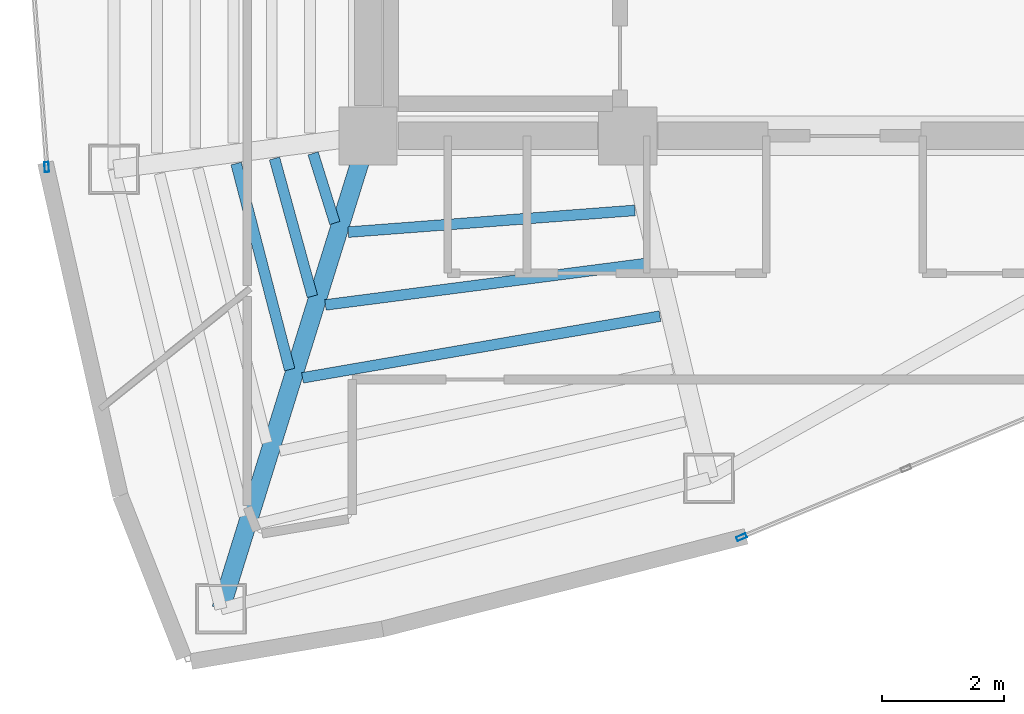
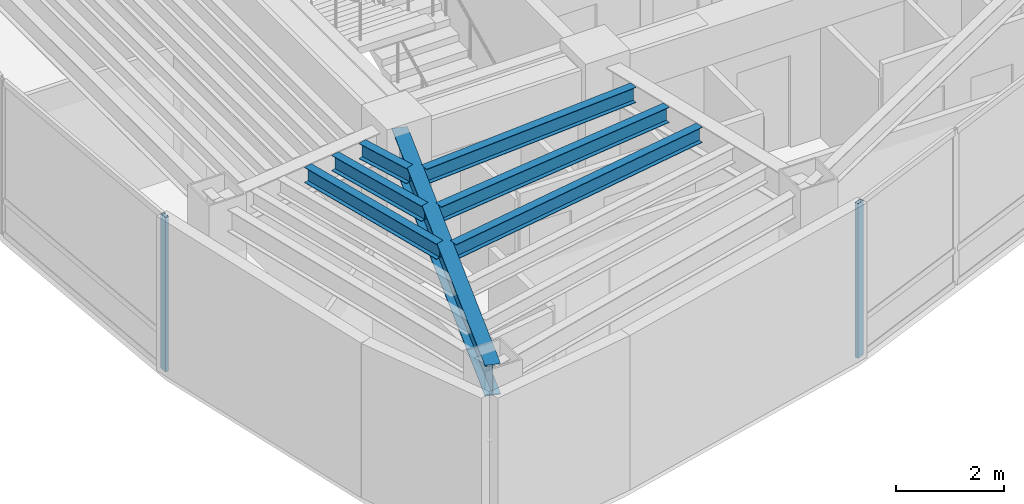
# One storey, part 2 of 15: 7 beams, 2 members, 2 elements without a shape of their own.
"""IFC4 building model written with IfcOpenShell, lengths in metres."""

from ifc_helpers import new_model, si_unit, direction, frame, origin, origin_2d, place, context, subcontext, project, spatial, hollow_rectangle, i_section, extrude, material, layer, layer_set, material_profile, profile_set, type_object, element, aggregate, save


model = new_model("IFC4")

# Units and contexts
model_context = context("Model", 3, precision=1e-05, world=origin(), true_north=direction((0.0, 1.0)))
body_context = subcontext(model_context, "Body", "Model", "MODEL_VIEW")
ifc_project = project(units=[si_unit("LENGTHUNIT", "METRE"), si_unit("AREAUNIT", "SQUARE_METRE"), si_unit("VOLUMEUNIT", "CUBIC_METRE"), si_unit("PLANEANGLEUNIT", "RADIAN"), si_unit("MASSUNIT", "GRAM", prefix="KILO")], contexts=[model_context])

# Site, building, storey
site_placement = place(None, origin())
site = spatial("IfcSite", under=ifc_project, at=site_placement, CompositionType="ELEMENT")
building_placement = place(site_placement, origin())
building = spatial("IfcBuilding", under=site, at=building_placement, Name="Menara Vayukalpa", CompositionType="ELEMENT")
storey_placement = place(building_placement, frame((0.0, 0.0, 258.300048828125)))
storey = spatial("IfcBuildingStorey", under=building, at=storey_placement, Name="L65", CompositionType="ELEMENT", Elevation=258.300048828125)

# Beams
ifc_material_1 = material(Name="Steel S355", Category="steel")
ifc_material_profile_1 = material_profile(ifc_material_1, i_section(OverallWidth=0.300048828125, OverallDepth=0.699951171875, WebThickness=0.012939453125, FlangeThickness=0.02392578125, at=origin_2d()), Name="WF 700x300x13x24")
ifc_profile_set_1 = profile_set([ifc_material_profile_1], Name="Steel S355")
beam_type_1 = type_object("IfcBeamType", Name="BM-PG5", PredefinedType="BEAM", material=ifc_profile_set_1)
beam_1_placement = place(storey_placement, frame((17.7255859375, 16.961181640625, 3.14990234375), z_axis=(-0.297213792842, -0.954810955815, 0.0), x_axis=(0.954810955815, -0.297213792842, 0.0)))
element("IfcBeam", 1, at=beam_1_placement, inside=storey, type_object=beam_type_1, Name="L65 Primary Radial Girder RG07", PredefinedType="BEAM", context=body_context, shape_type="SweptSolid", body=[
    extrude(i_section(OverallWidth=0.300048828125, OverallDepth=0.699951171875, WebThickness=0.012939453125, FlangeThickness=0.02392578125, at=origin_2d()), origin(), (0.0, 0.0, 1.0), 7.861083984375),
])
ifc_material_2 = material(Name="Steel S355", Category="steel")
ifc_material_profile_2 = material_profile(ifc_material_2, i_section(OverallWidth=0.175048828125, OverallDepth=0.35009765625, WebThickness=0.007080078125, FlangeThickness=0.010986328125, at=origin_2d()), Name="WF 350x175x7x11")
ifc_profile_set_2 = profile_set([ifc_material_profile_2], Name="Steel S355")
beam_type_2 = type_object("IfcBeamType", Name="BM-SJ3", PredefinedType="JOIST", material=ifc_profile_set_2)
beam_2_placement = place(storey_placement, frame((16.8984375, 16.91259765625, 3.324951171875), z_axis=(0.298018933644, -0.954559958929, 0.0), x_axis=(0.954559958929, 0.298018933644, 0.0)))
element("IfcBeam", 2, at=beam_2_placement, inside=storey, type_object=beam_type_2, Name="L65 Secondary Floor Joist SJ06-1", PredefinedType="JOIST", context=body_context, shape_type="SweptSolid", body=[
    extrude(i_section(OverallWidth=0.175048828125, OverallDepth=0.35009765625, WebThickness=0.007080078125, FlangeThickness=0.010986328125, at=origin_2d()), origin(), (0.0, 0.0, 1.0), 1.1943359375),
])
beam_3_placement = place(storey_placement, frame((16.2666015625, 16.82861328125, 3.324951171875), z_axis=(0.264918721837, -0.9642707456, 0.0), x_axis=(0.9642707456, 0.264918721837, 0.0)))
element("IfcBeam", 3, at=beam_3_placement, inside=storey, type_object=beam_type_2, Name="L65 Secondary Floor Joist SJ06-2", PredefinedType="JOIST", context=body_context, shape_type="SweptSolid", body=[
    extrude(i_section(OverallWidth=0.175048828125, OverallDepth=0.35009765625, WebThickness=0.007080078125, FlangeThickness=0.010986328125, at=origin_2d()), origin(), (0.0, 0.0, 1.0), 2.3388671875),
])
beam_4_placement = place(storey_placement, frame((15.63818359375, 16.745849609375, 3.324951171875), z_axis=(0.251492114719, -0.96785934734, 0.0), x_axis=(0.96785934734, 0.251492114719, 0.0)))
element("IfcBeam", 4, at=beam_4_placement, inside=storey, type_object=beam_type_2, Name="L65 Secondary Floor Joist SJ06-3", PredefinedType="JOIST", context=body_context, shape_type="SweptSolid", body=[
    extrude(i_section(OverallWidth=0.175048828125, OverallDepth=0.35009765625, WebThickness=0.007080078125, FlangeThickness=0.010986328125, at=origin_2d()), origin(), (0.0, 0.0, 1.0), 3.485107421875),
])
beam_5_placement = place(storey_placement, frame((17.474609375, 15.623046875, 3.324951171875), z_axis=(0.997135697669, 0.075633328852, 0.0), x_axis=(-0.075633328852, 0.997135697669, 0.0)))
element("IfcBeam", 5, at=beam_5_placement, inside=storey, type_object=beam_type_2, Name="L65 Secondary Floor Joist SJ07-1", PredefinedType="JOIST", context=body_context, shape_type="SweptSolid", body=[
    extrude(i_section(OverallWidth=0.175048828125, OverallDepth=0.35009765625, WebThickness=0.007080078125, FlangeThickness=0.010986328125, at=origin_2d()), origin(), (0.0, 0.0, 1.0), 4.706298828125),
])
beam_6_placement = place(storey_placement, frame((17.099853515625, 14.43115234375, 3.324951171875), z_axis=(0.991763759233, 0.128080622546, 0.0), x_axis=(-0.128080622546, 0.991763759233, 0.0)))
element("IfcBeam", 6, at=beam_6_placement, inside=storey, type_object=beam_type_2, Name="L65 Secondary Floor Joist SJ07-2", PredefinedType="JOIST", context=body_context, shape_type="SweptSolid", body=[
    extrude(i_section(OverallWidth=0.175048828125, OverallDepth=0.35009765625, WebThickness=0.007080078125, FlangeThickness=0.010986328125, at=origin_2d()), origin(), (0.0, 0.0, 1.0), 5.316162109375),
])
beam_7_placement = place(storey_placement, frame((16.724853515625, 13.2373046875, 3.324951171875), z_axis=(0.985440172071, 0.170022549294, 0.0), x_axis=(-0.170022549294, 0.985440172071, 0.0)))
element("IfcBeam", 7, at=beam_7_placement, inside=storey, type_object=beam_type_2, Name="L65 Secondary Floor Joist SJ07-3", PredefinedType="JOIST", context=body_context, shape_type="SweptSolid", body=[
    extrude(i_section(OverallWidth=0.175048828125, OverallDepth=0.35009765625, WebThickness=0.007080078125, FlangeThickness=0.010986328125, at=origin_2d()), origin(), (0.0, 0.0, 1.0), 5.93896484375),
])

# Curtain wall, member
ifc_material_3 = material(Name="Anodised Terracotta Aluminium Alloy 6063-T6", Category="masonry")
ifc_layer = layer(ifc_material_3, 0.1650390625)
ifc_layer_set = layer_set([ifc_layer], Name="Anodised Terracotta Aluminium Alloy 6063-T6")
curtain_wall_type = type_object("IfcCurtainWallType", Name="CW-CW6", PredefinedType="USERDEFINED", material=ifc_layer_set)
curtain_wall_1_placement = place(storey_placement, origin())
curtain_wall_1 = element("IfcCurtainWall", 8, at=curtain_wall_1_placement, inside=storey, type_object=curtain_wall_type, Name="L65 Observation and Executive Curtain Wall CW6 11", ObjectType="UNITISED", PredefinedType="USERDEFINED")
ifc_material_4 = material(Name="Anodised Terracotta Aluminium Alloy 6063-T6", Category="masonry")
ifc_material_profile_3 = material_profile(ifc_material_4, hollow_rectangle(XDim=0.070068359375, YDim=0.1650390625, WallThickness=0.00390625, at=origin_2d()), Name="ALU 70x165x4")
ifc_profile_set_3 = profile_set([ifc_material_profile_3], Name="Anodised Terracotta Aluminium Alloy 6063-T6")
member_type = type_object("IfcMemberType", Name="CWM-CW6", PredefinedType="MULLION", material=ifc_profile_set_3)
member_1_placement = place(storey_placement, frame((12.536376953125, 16.688232421875, 0.0), z_axis=(0.0, 0.0, 1.0), x_axis=(0.997199344663, 0.074789484574, 0.0)))
member_1 = element("IfcMember", 9, at=member_1_placement, type_object=member_type, Name="CW6 mullion 2", PredefinedType="MULLION", context=body_context, shape_type="SweptSolid", body=[
    extrude(hollow_rectangle(XDim=0.070068359375, YDim=0.1650390625, WallThickness=0.00390625, at=origin_2d()), origin(), (0.0, 0.0, 1.0), 3.5),
])
aggregate(curtain_wall_1, [member_1])

curtain_wall_2_placement = place(storey_placement, origin())
curtain_wall_2 = element("IfcCurtainWall", 10, at=curtain_wall_2_placement, inside=storey, type_object=curtain_wall_type, Name="L65 Observation and Executive Curtain Wall CW6 16", ObjectType="UNITISED", PredefinedType="USERDEFINED")
member_2_placement = place(storey_placement, frame((23.913330078125, 10.62841796875, 0.0), z_axis=(0.0, 0.0, 1.0), x_axis=(-0.385899911703, 0.922540653927, 0.0)))
member_2 = element("IfcMember", 11, at=member_2_placement, type_object=member_type, Name="CW6 mullion 1", PredefinedType="MULLION", context=body_context, shape_type="SweptSolid", body=[
    extrude(hollow_rectangle(XDim=0.070068359375, YDim=0.1650390625, WallThickness=0.00390625, at=origin_2d()), origin(), (0.0, 0.0, 1.0), 3.5),
])
aggregate(curtain_wall_2, [member_2])

save(model, "model.ifc")
